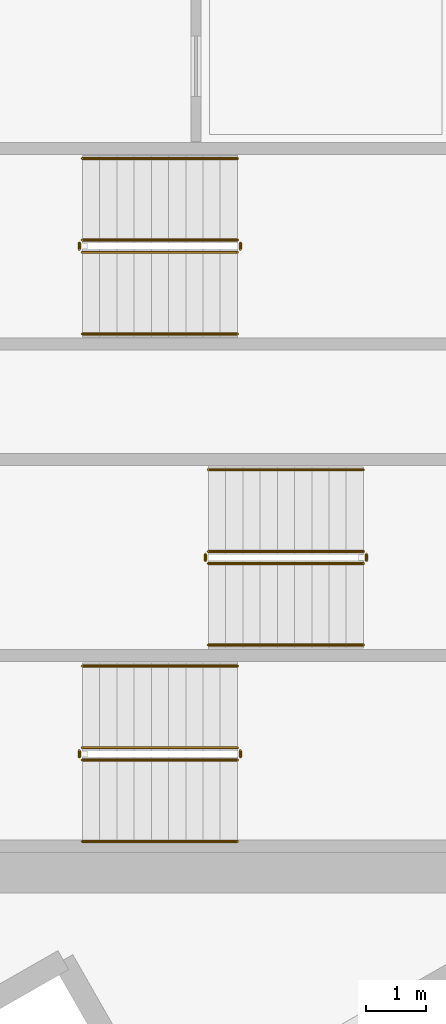
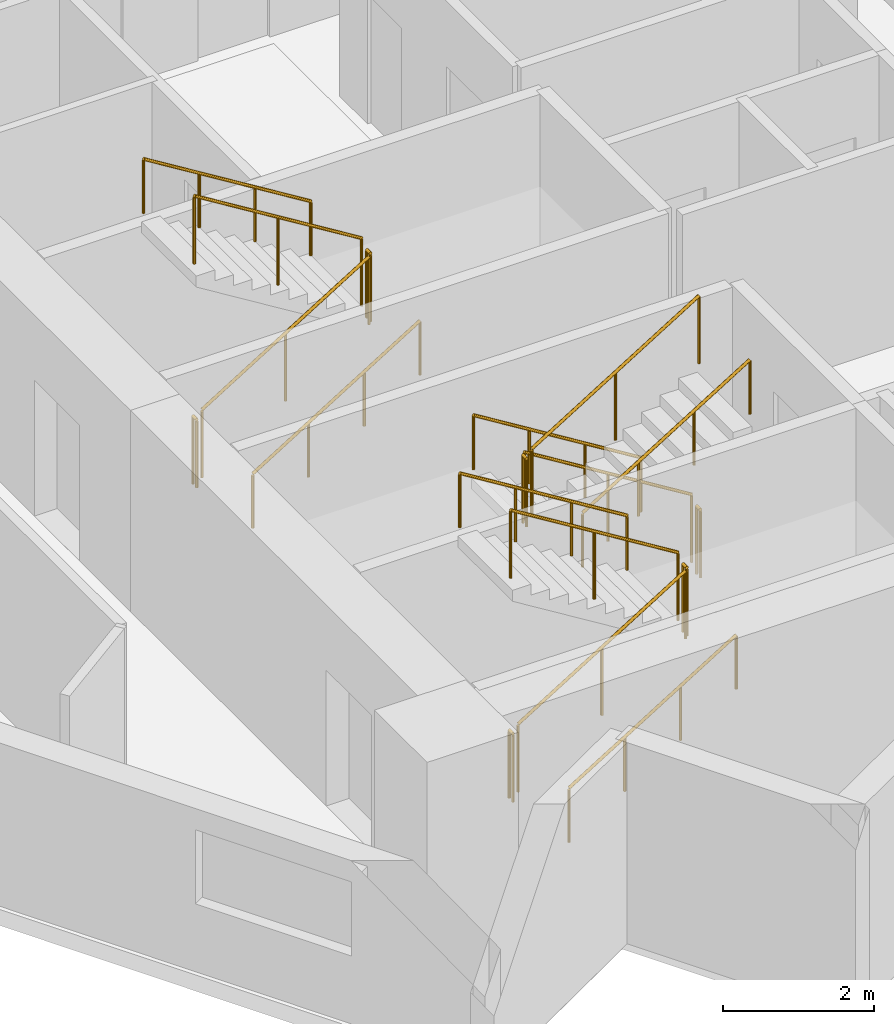
# One storey, part 13 of 14: 18 railings.
"""IFC4 building model written with IfcOpenShell, lengths in metres."""

from ifc_helpers import new_model, si_unit, direction, frame, origin, origin_2d, place, context, subcontext, project, spatial, circle, extrude, material, type_object, element, save


model = new_model("IFC4")

# Units and contexts
model_context = context("Model", 3, precision=1e-05, world=origin(), true_north=direction((0.0, 1.0)))
body_context = subcontext(model_context, "Body", "Model", "MODEL_VIEW")
ifc_project = project(units=[si_unit("LENGTHUNIT", "METRE"), si_unit("AREAUNIT", "SQUARE_METRE"), si_unit("VOLUMEUNIT", "CUBIC_METRE"), si_unit("PLANEANGLEUNIT", "RADIAN"), si_unit("MASSUNIT", "GRAM", prefix="KILO")], contexts=[model_context])

# Site, building, storey
site_placement = place(None, origin())
site = spatial("IfcSite", under=ifc_project, at=site_placement, CompositionType="ELEMENT")
building_placement = place(site_placement, origin())
building = spatial("IfcBuilding", under=site, at=building_placement, Name="Narakoshi Arena Tower", CompositionType="ELEMENT")
storey_placement = place(building_placement, frame((0.0, 0.0, 207.93994140625)))
storey = spatial("IfcBuildingStorey", under=building, at=storey_placement, Name="L56", CompositionType="ELEMENT", Elevation=207.93994140625)

# Railings
ifc_material_1 = material(Name="Clear low-iron laminated structural glass", Category="glass")
railing_type_1 = type_object("IfcRailingType", Name="RL-BAL-1100", PredefinedType="BALUSTRADE", material=ifc_material_1)
railing_1_placement = place(storey_placement, frame((74.39990234375, 36.949951171875, 0.176025390625)))
element("IfcRailing", 1, at=railing_1_placement, inside=storey, type_object=railing_type_1, Name="L56 ST1 stair guard 1", PredefinedType="BALUSTRADE", context=body_context, shape_type="SweptSolid", body=[
    extrude(circle(Radius=0.02392578125, at=origin_2d()), frame((0.0, 0.0, 1.09619140625), z_axis=(0.850856559306, 0.0, 0.525398054323), x_axis=(0.0, 1.0, 0.0)), (0.0, 0.0, 1.0), 3.014892578125),
    extrude(circle(Radius=0.02099609375, at=origin_2d()), origin(), (0.0, 0.0, 1.0), 1.072021484375),
    extrude(circle(Radius=0.02099609375, at=origin_2d()), frame((1.28271484375, 0.0, 0.7919921875)), (0.0, 0.0, 1.0), 1.072021484375),
    extrude(circle(Radius=0.02099609375, at=origin_2d()), frame((2.565185546875, 0.0, 1.583984375)), (0.0, 0.0, 1.0), 1.072021484375),
])
railing_2_placement = place(storey_placement, frame((77.014892578125, 37.0, 1.760009765625)))
element("IfcRailing", 2, at=railing_2_placement, inside=storey, type_object=railing_type_1, Name="L56 ST1 stair guard 2", PredefinedType="BALUSTRADE", context=body_context, shape_type="SweptSolid", body=[
    extrude(circle(Radius=0.02392578125, at=origin_2d()), frame((0.0, 0.0, 1.09619140625), z_axis=(0.0, 1.0, 0.0), x_axis=(-1.0, 0.0, 0.0)), (0.0, 0.0, 1.0), 0.10009765625),
    extrude(circle(Radius=0.02099609375, at=origin_2d()), origin(), (0.0, 0.0, 1.0), 1.072021484375),
    extrude(circle(Radius=0.02099609375, at=origin_2d()), frame((0.0, 0.10009765625, 0.0)), (0.0, 0.0, 1.0), 1.072021484375),
])
railing_3_placement = place(storey_placement, frame((76.965087890625, 37.14990234375, 1.93603515625)))
element("IfcRailing", 3, at=railing_3_placement, inside=storey, type_object=railing_type_1, Name="L56 ST1 stair guard 3", PredefinedType="BALUSTRADE", context=body_context, shape_type="SweptSolid", body=[
    extrude(circle(Radius=0.02392578125, at=origin_2d()), frame((0.0, 0.0, 1.09619140625), z_axis=(-0.850856559306, 0.0, 0.525398054323), x_axis=(0.0, -1.0, 0.0)), (0.0, 0.0, 1.0), 3.014892578125),
    extrude(circle(Radius=0.02099609375, at=origin_2d()), origin(), (0.0, 0.0, 1.0), 1.072021484375),
    extrude(circle(Radius=0.02099609375, at=origin_2d()), frame((-1.28271484375, 0.0, 0.7919921875)), (0.0, 0.0, 1.0), 1.072021484375),
    extrude(circle(Radius=0.02099609375, at=origin_2d()), frame((-2.565185546875, 0.0, 1.583984375)), (0.0, 0.0, 1.0), 1.072021484375),
])
railing_4_placement = place(storey_placement, frame((74.35009765625, 37.0, 0.0)))
element("IfcRailing", 4, at=railing_4_placement, inside=storey, type_object=railing_type_1, Name="L56 ST1 stair guard 4", PredefinedType="BALUSTRADE", context=body_context, shape_type="SweptSolid", body=[
    extrude(circle(Radius=0.02392578125, at=origin_2d()), frame((0.0, 0.0, 1.09619140625), z_axis=(0.0, 1.0, 0.0), x_axis=(-1.0, 0.0, 0.0)), (0.0, 0.0, 1.0), 0.10009765625),
    extrude(circle(Radius=0.02099609375, at=origin_2d()), origin(), (0.0, 0.0, 1.0), 1.072021484375),
    extrude(circle(Radius=0.02099609375, at=origin_2d()), frame((0.0, 0.10009765625, 0.0)), (0.0, 0.0, 1.0), 1.072021484375),
])
railing_5_placement = place(storey_placement, frame((79.050048828125, 40.39990234375, 0.176025390625)))
element("IfcRailing", 5, at=railing_5_placement, inside=storey, type_object=railing_type_1, Name="L56 ST2 stair guard 1", PredefinedType="BALUSTRADE", context=body_context, shape_type="SweptSolid", body=[
    extrude(circle(Radius=0.02392578125, at=origin_2d()), frame((0.0, 0.0, 1.09619140625), z_axis=(-0.850834203031, 0.0, 0.525434257497), x_axis=(0.0, -1.0, 0.0)), (0.0, 0.0, 1.0), 3.0146484375),
    extrude(circle(Radius=0.02099609375, at=origin_2d()), origin(), (0.0, 0.0, 1.0), 1.072021484375),
    extrude(circle(Radius=0.02099609375, at=origin_2d()), frame((-1.282470703125, 0.0, 0.7919921875)), (0.0, 0.0, 1.0), 1.072021484375),
    extrude(circle(Radius=0.02099609375, at=origin_2d()), frame((-2.56494140625, 0.0, 1.583984375)), (0.0, 0.0, 1.0), 1.072021484375),
])
railing_6_placement = place(storey_placement, frame((76.43505859375, 40.35009765625, 1.760009765625)))
element("IfcRailing", 6, at=railing_6_placement, inside=storey, type_object=railing_type_1, Name="L56 ST2 stair guard 2", PredefinedType="BALUSTRADE", context=body_context, shape_type="SweptSolid", body=[
    extrude(circle(Radius=0.02392578125, at=origin_2d()), frame((0.0, 0.0, 1.09619140625), z_axis=(0.0, -1.0, 0.0), x_axis=(1.0, 0.0, 0.0)), (0.0, 0.0, 1.0), 0.10009765625),
    extrude(circle(Radius=0.02099609375, at=origin_2d()), origin(), (0.0, 0.0, 1.0), 1.072021484375),
    extrude(circle(Radius=0.02099609375, at=origin_2d()), frame((0.0, -0.10009765625, 0.0)), (0.0, 0.0, 1.0), 1.072021484375),
])
railing_7_placement = place(storey_placement, frame((76.485107421875, 40.199951171875, 1.93603515625)))
element("IfcRailing", 7, at=railing_7_placement, inside=storey, type_object=railing_type_1, Name="L56 ST2 stair guard 3", PredefinedType="BALUSTRADE", context=body_context, shape_type="SweptSolid", body=[
    extrude(circle(Radius=0.02392578125, at=origin_2d()), frame((0.0, 0.0, 1.09619140625), z_axis=(0.850834203031, 0.0, 0.525434257497), x_axis=(0.0, 1.0, 0.0)), (0.0, 0.0, 1.0), 3.0146484375),
    extrude(circle(Radius=0.02099609375, at=origin_2d()), origin(), (0.0, 0.0, 1.0), 1.072021484375),
    extrude(circle(Radius=0.02099609375, at=origin_2d()), frame((1.282470703125, 0.0, 0.7919921875)), (0.0, 0.0, 1.0), 1.072021484375),
    extrude(circle(Radius=0.02099609375, at=origin_2d()), frame((2.56494140625, 0.0, 1.583984375)), (0.0, 0.0, 1.0), 1.072021484375),
])
railing_8_placement = place(storey_placement, frame((79.10009765625, 40.35009765625, 0.0)))
element("IfcRailing", 8, at=railing_8_placement, inside=storey, type_object=railing_type_1, Name="L56 ST2 stair guard 4", PredefinedType="BALUSTRADE", context=body_context, shape_type="SweptSolid", body=[
    extrude(circle(Radius=0.02392578125, at=origin_2d()), frame((0.0, 0.0, 1.09619140625), z_axis=(0.0, -1.0, 0.0), x_axis=(1.0, 0.0, 0.0)), (0.0, 0.0, 1.0), 0.10009765625),
    extrude(circle(Radius=0.02099609375, at=origin_2d()), origin(), (0.0, 0.0, 1.0), 1.072021484375),
    extrude(circle(Radius=0.02099609375, at=origin_2d()), frame((0.0, -0.10009765625, 0.0)), (0.0, 0.0, 1.0), 1.072021484375),
])
railing_9_placement = place(storey_placement, frame((74.39990234375, 45.35009765625, 0.176025390625)))
element("IfcRailing", 9, at=railing_9_placement, inside=storey, type_object=railing_type_1, Name="L56 ST3 stair guard 1", PredefinedType="BALUSTRADE", context=body_context, shape_type="SweptSolid", body=[
    extrude(circle(Radius=0.02392578125, at=origin_2d()), frame((0.0, 0.0, 1.09619140625), z_axis=(0.850856559306, 0.0, 0.525398054323), x_axis=(0.0, 1.0, 0.0)), (0.0, 0.0, 1.0), 3.014892578125),
    extrude(circle(Radius=0.02099609375, at=origin_2d()), origin(), (0.0, 0.0, 1.0), 1.072021484375),
    extrude(circle(Radius=0.02099609375, at=origin_2d()), frame((1.28271484375, 0.0, 0.7919921875)), (0.0, 0.0, 1.0), 1.072021484375),
    extrude(circle(Radius=0.02099609375, at=origin_2d()), frame((2.565185546875, 0.0, 1.583984375)), (0.0, 0.0, 1.0), 1.072021484375),
])
railing_10_placement = place(storey_placement, frame((77.014892578125, 45.39990234375, 1.760009765625)))
element("IfcRailing", 10, at=railing_10_placement, inside=storey, type_object=railing_type_1, Name="L56 ST3 stair guard 2", PredefinedType="BALUSTRADE", context=body_context, shape_type="SweptSolid", body=[
    extrude(circle(Radius=0.02392578125, at=origin_2d()), frame((0.0, 0.0, 1.09619140625), z_axis=(0.0, 1.0, 0.0), x_axis=(-1.0, 0.0, 0.0)), (0.0, 0.0, 1.0), 0.10009765625),
    extrude(circle(Radius=0.02099609375, at=origin_2d()), origin(), (0.0, 0.0, 1.0), 1.072021484375),
    extrude(circle(Radius=0.02099609375, at=origin_2d()), frame((0.0, 0.10009765625, 0.0)), (0.0, 0.0, 1.0), 1.072021484375),
])
railing_11_placement = place(storey_placement, frame((76.965087890625, 45.550048828125, 1.93603515625)))
element("IfcRailing", 11, at=railing_11_placement, inside=storey, type_object=railing_type_1, Name="L56 ST3 stair guard 3", PredefinedType="BALUSTRADE", context=body_context, shape_type="SweptSolid", body=[
    extrude(circle(Radius=0.02392578125, at=origin_2d()), frame((0.0, 0.0, 1.09619140625), z_axis=(-0.850856559306, 0.0, 0.525398054323), x_axis=(0.0, -1.0, 0.0)), (0.0, 0.0, 1.0), 3.014892578125),
    extrude(circle(Radius=0.02099609375, at=origin_2d()), origin(), (0.0, 0.0, 1.0), 1.072021484375),
    extrude(circle(Radius=0.02099609375, at=origin_2d()), frame((-1.28271484375, 0.0, 0.7919921875)), (0.0, 0.0, 1.0), 1.072021484375),
    extrude(circle(Radius=0.02099609375, at=origin_2d()), frame((-2.565185546875, 0.0, 1.583984375)), (0.0, 0.0, 1.0), 1.072021484375),
])
railing_12_placement = place(storey_placement, frame((74.35009765625, 45.39990234375, 0.0)))
element("IfcRailing", 12, at=railing_12_placement, inside=storey, type_object=railing_type_1, Name="L56 ST3 stair guard 4", PredefinedType="BALUSTRADE", context=body_context, shape_type="SweptSolid", body=[
    extrude(circle(Radius=0.02392578125, at=origin_2d()), frame((0.0, 0.0, 1.09619140625), z_axis=(0.0, 1.0, 0.0), x_axis=(-1.0, 0.0, 0.0)), (0.0, 0.0, 1.0), 0.10009765625),
    extrude(circle(Radius=0.02099609375, at=origin_2d()), origin(), (0.0, 0.0, 1.0), 1.072021484375),
    extrude(circle(Radius=0.02099609375, at=origin_2d()), frame((0.0, 0.10009765625, 0.0)), (0.0, 0.0, 1.0), 1.072021484375),
])
ifc_material_2 = material(Name="Brushed bronze stainless steel", Category="steel")
railing_type_2 = type_object("IfcRailingType", Name="RL-HND-900", PredefinedType="HANDRAIL", material=ifc_material_2)
railing_13_placement = place(storey_placement, frame((74.39990234375, 35.60009765625, 0.176025390625)))
element("IfcRailing", 13, at=railing_13_placement, inside=storey, type_object=railing_type_2, Name="L56 ST1 stair handrail 1", PredefinedType="HANDRAIL", context=body_context, shape_type="SweptSolid", body=[
    extrude(circle(Radius=0.02392578125, at=origin_2d()), frame((0.0, 0.0, 0.8759765625), z_axis=(0.850856559306, 0.0, 0.525398054323), x_axis=(0.0, 1.0, 0.0)), (0.0, 0.0, 1.0), 3.014892578125),
    extrude(circle(Radius=0.02099609375, at=origin_2d()), origin(), (0.0, 0.0, 1.0), 0.851806640625),
    extrude(circle(Radius=0.02099609375, at=origin_2d()), frame((0.85498046875, 0.0, 0.528076171875)), (0.0, 0.0, 1.0), 0.851806640625),
    extrude(circle(Radius=0.02099609375, at=origin_2d()), frame((1.710205078125, 0.0, 1.055908203125)), (0.0, 0.0, 1.0), 0.851806640625),
    extrude(circle(Radius=0.02099609375, at=origin_2d()), frame((2.565185546875, 0.0, 1.583984375)), (0.0, 0.0, 1.0), 0.851806640625),
])
railing_14_placement = place(storey_placement, frame((76.965087890625, 38.5, 1.93603515625)))
element("IfcRailing", 14, at=railing_14_placement, inside=storey, type_object=railing_type_2, Name="L56 ST1 stair handrail 2", PredefinedType="HANDRAIL", context=body_context, shape_type="SweptSolid", body=[
    extrude(circle(Radius=0.02392578125, at=origin_2d()), frame((0.0, 0.0, 0.8759765625), z_axis=(-0.850856559306, 0.0, 0.525398054323), x_axis=(0.0, -1.0, 0.0)), (0.0, 0.0, 1.0), 3.014892578125),
    extrude(circle(Radius=0.02099609375, at=origin_2d()), origin(), (0.0, 0.0, 1.0), 0.851806640625),
    extrude(circle(Radius=0.02099609375, at=origin_2d()), frame((-0.85498046875, 0.0, 0.528076171875)), (0.0, 0.0, 1.0), 0.851806640625),
    extrude(circle(Radius=0.02099609375, at=origin_2d()), frame((-1.710205078125, 0.0, 1.055908203125)), (0.0, 0.0, 1.0), 0.851806640625),
    extrude(circle(Radius=0.02099609375, at=origin_2d()), frame((-2.565185546875, 0.0, 1.583984375)), (0.0, 0.0, 1.0), 0.851806640625),
])
railing_15_placement = place(storey_placement, frame((79.050048828125, 41.75, 0.176025390625)))
element("IfcRailing", 15, at=railing_15_placement, inside=storey, type_object=railing_type_2, Name="L56 ST2 stair handrail 1", PredefinedType="HANDRAIL", context=body_context, shape_type="SweptSolid", body=[
    extrude(circle(Radius=0.02392578125, at=origin_2d()), frame((0.0, 0.0, 0.8759765625), z_axis=(-0.850834203031, 0.0, 0.525434257497), x_axis=(0.0, -1.0, 0.0)), (0.0, 0.0, 1.0), 3.0146484375),
    extrude(circle(Radius=0.02099609375, at=origin_2d()), origin(), (0.0, 0.0, 1.0), 0.851806640625),
    extrude(circle(Radius=0.02099609375, at=origin_2d()), frame((-0.85498046875, 0.0, 0.528076171875)), (0.0, 0.0, 1.0), 0.851806640625),
    extrude(circle(Radius=0.02099609375, at=origin_2d()), frame((-1.7099609375, 0.0, 1.055908203125)), (0.0, 0.0, 1.0), 0.851806640625),
    extrude(circle(Radius=0.02099609375, at=origin_2d()), frame((-2.56494140625, 0.0, 1.583984375)), (0.0, 0.0, 1.0), 0.851806640625),
])
railing_16_placement = place(storey_placement, frame((76.485107421875, 38.85009765625, 1.93603515625)))
element("IfcRailing", 16, at=railing_16_placement, inside=storey, type_object=railing_type_2, Name="L56 ST2 stair handrail 2", PredefinedType="HANDRAIL", context=body_context, shape_type="SweptSolid", body=[
    extrude(circle(Radius=0.02392578125, at=origin_2d()), frame((0.0, 0.0, 0.8759765625), z_axis=(0.850834203031, 0.0, 0.525434257497), x_axis=(0.0, 1.0, 0.0)), (0.0, 0.0, 1.0), 3.0146484375),
    extrude(circle(Radius=0.02099609375, at=origin_2d()), origin(), (0.0, 0.0, 1.0), 0.851806640625),
    extrude(circle(Radius=0.02099609375, at=origin_2d()), frame((0.85498046875, 0.0, 0.528076171875)), (0.0, 0.0, 1.0), 0.851806640625),
    extrude(circle(Radius=0.02099609375, at=origin_2d()), frame((1.7099609375, 0.0, 1.055908203125)), (0.0, 0.0, 1.0), 0.851806640625),
    extrude(circle(Radius=0.02099609375, at=origin_2d()), frame((2.56494140625, 0.0, 1.583984375)), (0.0, 0.0, 1.0), 0.851806640625),
])
railing_17_placement = place(storey_placement, frame((74.39990234375, 44.0, 0.176025390625)))
element("IfcRailing", 17, at=railing_17_placement, inside=storey, type_object=railing_type_2, Name="L56 ST3 stair handrail 1", PredefinedType="HANDRAIL", context=body_context, shape_type="SweptSolid", body=[
    extrude(circle(Radius=0.02392578125, at=origin_2d()), frame((0.0, 0.0, 0.8759765625), z_axis=(0.850856559306, 0.0, 0.525398054323), x_axis=(0.0, 1.0, 0.0)), (0.0, 0.0, 1.0), 3.014892578125),
    extrude(circle(Radius=0.02099609375, at=origin_2d()), origin(), (0.0, 0.0, 1.0), 0.851806640625),
    extrude(circle(Radius=0.02099609375, at=origin_2d()), frame((0.85498046875, 0.0, 0.528076171875)), (0.0, 0.0, 1.0), 0.851806640625),
    extrude(circle(Radius=0.02099609375, at=origin_2d()), frame((1.710205078125, 0.0, 1.055908203125)), (0.0, 0.0, 1.0), 0.851806640625),
    extrude(circle(Radius=0.02099609375, at=origin_2d()), frame((2.565185546875, 0.0, 1.583984375)), (0.0, 0.0, 1.0), 0.851806640625),
])
railing_18_placement = place(storey_placement, frame((76.965087890625, 46.89990234375, 1.93603515625)))
element("IfcRailing", 18, at=railing_18_placement, inside=storey, type_object=railing_type_2, Name="L56 ST3 stair handrail 2", PredefinedType="HANDRAIL", context=body_context, shape_type="SweptSolid", body=[
    extrude(circle(Radius=0.02392578125, at=origin_2d()), frame((0.0, 0.0, 0.8759765625), z_axis=(-0.850856559306, 0.0, 0.525398054323), x_axis=(0.0, -1.0, 0.0)), (0.0, 0.0, 1.0), 3.014892578125),
    extrude(circle(Radius=0.02099609375, at=origin_2d()), origin(), (0.0, 0.0, 1.0), 0.851806640625),
    extrude(circle(Radius=0.02099609375, at=origin_2d()), frame((-0.85498046875, 0.0, 0.528076171875)), (0.0, 0.0, 1.0), 0.851806640625),
    extrude(circle(Radius=0.02099609375, at=origin_2d()), frame((-1.710205078125, 0.0, 1.055908203125)), (0.0, 0.0, 1.0), 0.851806640625),
    extrude(circle(Radius=0.02099609375, at=origin_2d()), frame((-2.565185546875, 0.0, 1.583984375)), (0.0, 0.0, 1.0), 0.851806640625),
])

save(model, "model.ifc")
